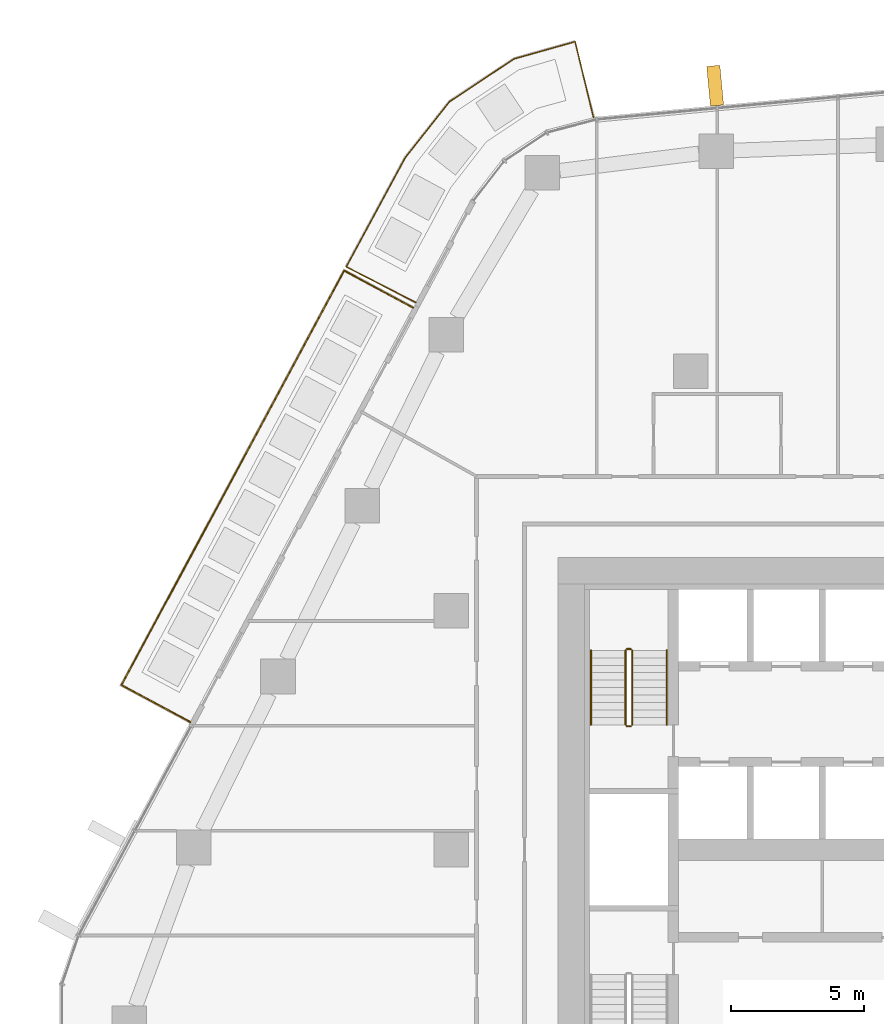
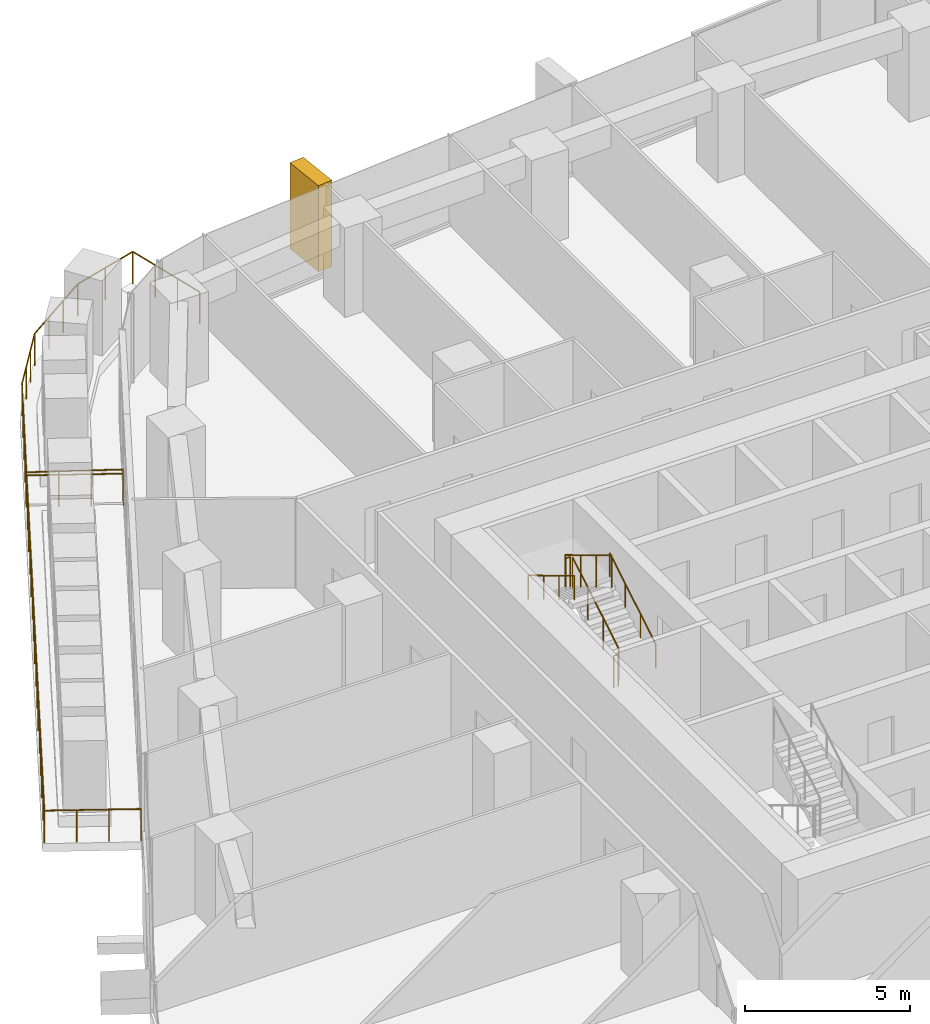
# One storey, part 22 of 24: 8 railings, 1 covering, 1 element without a shape of its own.
"""IFC4 building model written with IfcOpenShell, lengths in metres."""

import ifcopenshell
import ifcopenshell.guid

model = None  # the IFC model being written
_history = None  # IfcOwnerHistory: only IFC2X3 demands one
_inside = {}  # id of a spatial element -> (the spatial element, [elements in it])
_under = {}  # id of a project, library or spatial element -> (it, [spatial elements below it])
_declared = {}  # id of a project -> (the project, [libraries it declares])
_typed = {}  # id of a type object -> (the type object, [elements of that type])
_made_of = {}  # id of a material, layer set ... -> (it, [elements and type objects made of it])


def new_model(schema):
    """Start an empty IFC model of exactly this schema.

    Asked for "IFC4X3", IfcOpenShell would pick the latest addendum, in which some entities
    have other attributes; the version numbers below select the first issue.
    IFC2X3 requires an IfcOwnerHistory on every rooted entity: one is made here for all.
    """
    global model, _history
    if schema == "IFC4X3":
        model = ifcopenshell.file(schema_version=(4, 3, 0, 0))
    else:
        model = ifcopenshell.file(schema=schema)
    _inside.clear()
    _under.clear()
    _declared.clear()
    _typed.clear()
    _made_of.clear()
    _history = None
    if model.schema == "IFC2X3":
        org = make("IfcOrganization", Name="unknown")
        user = make(
            "IfcPersonAndOrganization",
            ThePerson=make("IfcPerson", FamilyName="unknown"),
            TheOrganization=org,
        )
        app = make(
            "IfcApplication",
            ApplicationDeveloper=org,
            Version="unknown",
            ApplicationFullName="unknown",
            ApplicationIdentifier="unknown",
        )
        _history = make(
            "IfcOwnerHistory",
            OwningUser=user,
            OwningApplication=app,
            ChangeAction="ADDED",
            CreationDate=0,
        )
    return model


def make(cls, **values):
    """One entity of the class cls with the attributes given. An attribute that is None is left unset."""
    return model.create_entity(
        cls, **{name: value for name, value in values.items() if value is not None}
    )


def rooted(cls, **values):
    """An entity with a GlobalId (a new one), such as an element, a storey or a relation."""
    return make(cls, GlobalId=ifcopenshell.guid.new(), OwnerHistory=_history, **values)


def si_unit(unit_type, name, prefix=None):
    """IfcSIUnit, for example si_unit("LENGTHUNIT", "METRE", prefix="MILLI")."""
    return make("IfcSIUnit", UnitType=unit_type, Prefix=prefix, Name=name)


def assignment(units):
    """IfcUnitAssignment: the units of a project."""
    return None if units is None else make("IfcUnitAssignment", Units=units)


def point(xyz):
    """IfcCartesianPoint."""
    return None if xyz is None else make("IfcCartesianPoint", Coordinates=xyz)


def direction(xyz):
    """IfcDirection."""
    return None if xyz is None else make("IfcDirection", DirectionRatios=xyz)


def frame(location, z_axis=None, x_axis=None):
    """IfcAxis2Placement3D, a coordinate frame: its origin and axes. An axis left out is left unset."""
    return make(
        "IfcAxis2Placement3D",
        Location=point(location),
        Axis=direction(z_axis),
        RefDirection=direction(x_axis),
    )


def frame_2d(location, x_axis=None):
    """IfcAxis2Placement2D, a coordinate frame in the plane: its origin and x axis."""
    return make(
        "IfcAxis2Placement2D", Location=point(location), RefDirection=direction(x_axis)
    )


def origin():
    """The frame at (0, 0, 0) with its axes left unset."""
    return frame((0.0, 0.0, 0.0))


def origin_2d():
    """The frame at (0, 0) in the plane with its x axis left unset."""
    return frame_2d((0.0, 0.0))


def place(relative_to, where):
    """IfcLocalPlacement: puts the frame where relative to a parent placement (None: the world)."""
    return make(
        "IfcLocalPlacement", PlacementRelTo=relative_to, RelativePlacement=where
    )


def context(
    kind, dimensions, precision=None, world=None, true_north=None, identifier=None
):
    """IfcGeometricRepresentationContext, for example the 3D "Model" context."""
    return make(
        "IfcGeometricRepresentationContext",
        ContextIdentifier=identifier,
        ContextType=kind,
        CoordinateSpaceDimension=dimensions,
        Precision=precision,
        WorldCoordinateSystem=world,
        TrueNorth=true_north,
    )


def subcontext(parent, identifier, kind, view, scale=None):
    """IfcGeometricRepresentationSubContext, for example "Body" below "Model"."""
    return make(
        "IfcGeometricRepresentationSubContext",
        ContextIdentifier=identifier,
        ContextType=kind,
        ParentContext=parent,
        TargetScale=scale,
        TargetView=view,
    )


def project(units=None, contexts=None):
    """IfcProject with its units and contexts."""
    return rooted(
        "IfcProject",
        Name="project",
        RepresentationContexts=contexts,
        UnitsInContext=assignment(units),
    )


def spatial(cls, under=None, at=None, **own):
    """A site, building, storey or space (cls), placed at a placement, below another one or the project."""
    s = rooted(cls, ObjectPlacement=at, **own)
    if under is not None:
        _under.setdefault(under.id(), (under, []))[1].append(s)
    return s


def profile(cls, at=None, kind="AREA", **sizes):
    """A parametric profile (cls). Its sizes go by their IFC names, for example OverallWidth=200.0."""
    return make(cls, ProfileType=kind, Position=at, **sizes)


def rectangle(**sizes):
    """IfcRectangleProfileDef."""
    return profile("IfcRectangleProfileDef", **sizes)


def circle(**sizes):
    """IfcCircleProfileDef."""
    return profile("IfcCircleProfileDef", **sizes)


def extrude(swept, where, along, depth):
    """IfcExtrudedAreaSolid: the profile swept, set in the frame where, extruded along a direction by depth."""
    return make(
        "IfcExtrudedAreaSolid",
        SweptArea=swept,
        Position=where,
        ExtrudedDirection=direction(along),
        Depth=depth,
    )


def shape(context_of_items, identifier, shape_type, items):
    """IfcShapeRepresentation: the items that make up one representation, for example the "Body"."""
    return make(
        "IfcShapeRepresentation",
        ContextOfItems=context_of_items,
        RepresentationIdentifier=identifier,
        RepresentationType=shape_type,
        Items=items,
    )


def material(Name=None, Category=None):
    """IfcMaterial."""
    return make("IfcMaterial", Name=Name, Category=Category)


def layer(
    of_material, thickness, ventilated=None, Name=None, Category=None, Priority=None
):
    """IfcMaterialLayer: one layer of a wall or slab, of a material (None: an air gap)."""
    return make(
        "IfcMaterialLayer",
        Material=of_material,
        LayerThickness=thickness,
        IsVentilated=ventilated,
        Name=Name,
        Category=Category,
        Priority=Priority,
    )


def layer_set(layers, Name=None):
    """IfcMaterialLayerSet."""
    return make("IfcMaterialLayerSet", MaterialLayers=layers, LayerSetName=Name)


def material_profile(
    of_material, cross_section, Name=None, Category=None, Priority=None
):
    """IfcMaterialProfile: a cross section and its material."""
    return make(
        "IfcMaterialProfile",
        Name=Name,
        Material=of_material,
        Profile=cross_section,
        Priority=Priority,
        Category=Category,
    )


def profile_set(profiles, Name=None, composite=None):
    """IfcMaterialProfileSet."""
    return make(
        "IfcMaterialProfileSet",
        Name=Name,
        MaterialProfiles=profiles,
        CompositeProfile=composite,
    )


def made_of(thing, what):
    """Note that an element or type object is made of a material, layer set ...; save() writes the relation."""
    if what is not None:
        _made_of.setdefault(what.id(), (what, []))[1].append(thing)
    return thing


def type_object(cls, material=None, **own):
    """A type object (cls), such as IfcWallType, which elements share."""
    return made_of(rooted(cls, **own), material)


def element(
    cls,
    number,
    at=None,
    inside=None,
    cuts=None,
    type_object=None,
    material=None,
    context=None,
    identifier="Body",
    shape_type=None,
    held_by="IfcProductDefinitionShape",
    body=None,
    shapes=None,
    **own,
):
    """One element of the class cls, such as IfcWall. Its Tag is "e" and its number.

    at: its placement. inside: the storey or other place that contains it. cuts: it is an
    opening in that element (IfcRelVoidsElement). A single representation is given by context,
    identifier, shape_type and body (its items); several are given by shapes. held_by: the class
    of the entity that holds the representations. save() writes the other relations.
    """
    e = rooted(cls, Tag="e%d" % number, ObjectPlacement=at, **own)
    if body is not None:
        shapes = [shape(context, identifier, shape_type, body)]
    if shapes is not None:
        e.Representation = make(held_by, Representations=shapes)
    if inside is not None:
        _inside.setdefault(inside.id(), (inside, []))[1].append(e)
    if cuts is not None:
        rooted(
            "IfcRelVoidsElement", RelatingBuildingElement=cuts, RelatedOpeningElement=e
        )
    if type_object is not None:
        _typed.setdefault(type_object.id(), (type_object, []))[1].append(e)
    return made_of(e, material)


def aggregate(whole, parts):
    """IfcRelAggregates: a whole, such as a stair, and the parts it consists of."""
    return rooted("IfcRelAggregates", RelatingObject=whole, RelatedObjects=parts)


def save(model, path):
    """Write the relations noted so far, then the file.

    IfcRelAggregates (storeys below a building ...), IfcRelContainedInSpatialStructure (elements
    in a storey), IfcRelDefinesByType, IfcRelAssociatesMaterial and IfcRelDeclares: one each for
    every whole, place, type object, material and project.
    """
    for whole, parts in _under.values():
        aggregate(whole, parts)
    for where, things in _inside.values():
        rooted(
            "IfcRelContainedInSpatialStructure",
            RelatedElements=things,
            RelatingStructure=where,
        )
    for kind, things in _typed.values():
        rooted("IfcRelDefinesByType", RelatedObjects=things, RelatingType=kind)
    for what, things in _made_of.values():
        rooted("IfcRelAssociatesMaterial", RelatedObjects=things, RelatingMaterial=what)
    for by, libraries in _declared.values():
        rooted("IfcRelDeclares", RelatingContext=by, RelatedDefinitions=libraries)
    model.write(path)


model = new_model("IFC4")

# Units and contexts
model_context = context("Model", 3, precision=1e-05, world=origin(), true_north=direction((0.0, 1.0)))
body_context = subcontext(model_context, "Body", "Model", "MODEL_VIEW")
ifc_project = project(units=[si_unit("LENGTHUNIT", "METRE"), si_unit("AREAUNIT", "SQUARE_METRE"), si_unit("VOLUMEUNIT", "CUBIC_METRE"), si_unit("PLANEANGLEUNIT", "RADIAN"), si_unit("MASSUNIT", "GRAM", prefix="KILO")], contexts=[model_context])

# Site, building, storey
site_placement = place(None, origin())
site = spatial("IfcSite", under=ifc_project, at=site_placement, CompositionType="ELEMENT")
building_placement = place(site_placement, origin())
building = spatial("IfcBuilding", under=site, at=building_placement, Name="Dongbaek Canopy Tower", CompositionType="ELEMENT")
storey_placement = place(building_placement, frame((0.0, 0.0, 124.800048828125)))
storey = spatial("IfcBuildingStorey", under=building, at=storey_placement, Name="L27", CompositionType="ELEMENT", Elevation=124.800048828125)

# Railings
ifc_material_1 = material(Name="Stainless steel", Category="steel")
railing_type_1 = type_object("IfcRailingType", Name="Balcony balustrade 1200", PredefinedType="BALUSTRADE", material=ifc_material_1)
railing_1_placement = place(storey_placement, frame((-19.446533203125, 20.402099609375, 0.0)))
element("IfcRailing", 1, at=railing_1_placement, inside=storey, type_object=railing_type_1, Name="Balcony guard L27 2", PredefinedType="BALUSTRADE", context=body_context, shape_type="SweptSolid", body=[
    extrude(circle(Radius=0.02392578125, at=origin_2d()), frame((0.0, 0.0, 1.17578125), z_axis=(-0.880868115947, 0.473361766842, 0.0), x_axis=(-0.473361766842, -0.880868115947, 0.0)), (0.0, 0.0, 1.0), 2.93994140625),
    extrude(circle(Radius=0.02392578125, at=origin_2d()), frame((-2.589599609375, 1.3916015625, 1.17578125), z_axis=(-0.473412360559, -0.880840925974, 0.0), x_axis=(0.880840925974, -0.473412360559, 0.0)), (0.0, 0.0, 1.0), 17.708251953125),
    extrude(circle(Radius=0.02392578125, at=origin_2d()), frame((-10.972900390625, -14.20654296875, 1.17578125), z_axis=(0.880833487352, -0.473426200753, 0.0), x_axis=(0.473426200753, 0.880833487352, 0.0)), (0.0, 0.0, 1.0), 2.93994140625),
    extrude(circle(Radius=0.02099609375, at=origin_2d()), origin(), (0.0, 0.0, 1.0), 1.15185546875),
    extrude(circle(Radius=0.02099609375, at=origin_2d()), frame((-0.86328125, 0.4638671875, 0.0)), (0.0, 0.0, 1.0), 1.15185546875),
    extrude(circle(Radius=0.02099609375, at=origin_2d()), frame((-1.726318359375, 0.927734375, 0.0)), (0.0, 0.0, 1.0), 1.15185546875),
    extrude(circle(Radius=0.02099609375, at=origin_2d()), frame((-2.589599609375, 1.3916015625, 0.0)), (0.0, 0.0, 1.0), 1.15185546875),
    extrude(circle(Radius=0.02099609375, at=origin_2d()), frame((-3.1484375, 0.351806640625, 0.0)), (0.0, 0.0, 1.0), 1.15185546875),
    extrude(circle(Radius=0.02099609375, at=origin_2d()), frame((-3.707275390625, -0.688232421875, 0.0)), (0.0, 0.0, 1.0), 1.15185546875),
    extrude(circle(Radius=0.02099609375, at=origin_2d()), frame((-4.266357421875, -1.72802734375, 0.0)), (0.0, 0.0, 1.0), 1.15185546875),
    extrude(circle(Radius=0.02099609375, at=origin_2d()), frame((-4.8251953125, -2.767822265625, 0.0)), (0.0, 0.0, 1.0), 1.15185546875),
    extrude(circle(Radius=0.02099609375, at=origin_2d()), frame((-5.384033203125, -3.807861328125, 0.0)), (0.0, 0.0, 1.0), 1.15185546875),
    extrude(circle(Radius=0.02099609375, at=origin_2d()), frame((-5.94287109375, -4.84765625, 0.0)), (0.0, 0.0, 1.0), 1.15185546875),
    extrude(circle(Radius=0.02099609375, at=origin_2d()), frame((-6.501708984375, -5.887451171875, 0.0)), (0.0, 0.0, 1.0), 1.15185546875),
    extrude(circle(Radius=0.02099609375, at=origin_2d()), frame((-7.060791015625, -6.927490234375, 0.0)), (0.0, 0.0, 1.0), 1.15185546875),
    extrude(circle(Radius=0.02099609375, at=origin_2d()), frame((-7.61962890625, -7.96728515625, 0.0)), (0.0, 0.0, 1.0), 1.15185546875),
    extrude(circle(Radius=0.02099609375, at=origin_2d()), frame((-8.178466796875, -9.007080078125, 0.0)), (0.0, 0.0, 1.0), 1.15185546875),
    extrude(circle(Radius=0.02099609375, at=origin_2d()), frame((-8.7373046875, -10.047119140625, 0.0)), (0.0, 0.0, 1.0), 1.15185546875),
    extrude(circle(Radius=0.02099609375, at=origin_2d()), frame((-9.296142578125, -11.0869140625, 0.0)), (0.0, 0.0, 1.0), 1.15185546875),
    extrude(circle(Radius=0.02099609375, at=origin_2d()), frame((-9.855224609375, -12.126708984375, 0.0)), (0.0, 0.0, 1.0), 1.15185546875),
    extrude(circle(Radius=0.02099609375, at=origin_2d()), frame((-10.4140625, -13.166748046875, 0.0)), (0.0, 0.0, 1.0), 1.15185546875),
    extrude(circle(Radius=0.02099609375, at=origin_2d()), frame((-10.972900390625, -14.20654296875, 0.0)), (0.0, 0.0, 1.0), 1.15185546875),
    extrude(circle(Radius=0.02099609375, at=origin_2d()), frame((-10.109619140625, -14.67041015625, 0.0)), (0.0, 0.0, 1.0), 1.15185546875),
    extrude(circle(Radius=0.02099609375, at=origin_2d()), frame((-9.24658203125, -15.134521484375, 0.0)), (0.0, 0.0, 1.0), 1.15185546875),
    extrude(circle(Radius=0.02099609375, at=origin_2d()), frame((-8.38330078125, -15.598388671875, 0.0)), (0.0, 0.0, 1.0), 1.15185546875),
])
railing_2_placement = place(storey_placement, frame((-12.654296875, 27.55224609375, 0.0)))
element("IfcRailing", 2, at=railing_2_placement, inside=storey, type_object=railing_type_1, Name="Balcony guard L27 6", PredefinedType="BALUSTRADE", context=body_context, shape_type="SweptSolid", body=[
    extrude(circle(Radius=0.02392578125, at=origin_2d()), frame((0.0, 0.0, 1.17578125), z_axis=(-0.234967872109, 0.97200313738, 0.0), x_axis=(-0.97200313738, -0.234967872109, 0.0)), (0.0, 0.0, 1.0), 2.9404296875),
    extrude(circle(Radius=0.02392578125, at=origin_2d()), frame((-0.69091796875, 2.858154296875, 1.17578125), z_axis=(-0.962683385064, -0.270630190707, 0.0), x_axis=(0.270630190707, -0.962683385064, 0.0)), (0.0, 0.0, 1.0), 2.3896484375),
    extrude(circle(Radius=0.02392578125, at=origin_2d()), frame((-2.991455078125, 2.21142578125, 1.17578125), z_axis=(-0.833398679356, -0.552672272914, 0.0), x_axis=(0.552672272914, -0.833398679356, 0.0)), (0.0, 0.0, 1.0), 2.91943359375),
    extrude(circle(Radius=0.02392578125, at=origin_2d()), frame((-5.424560546875, 0.597900390625, 1.17578125), z_axis=(-0.619549781099, -0.784957367467, 0.0), x_axis=(0.784957367467, -0.619549781099, 0.0)), (0.0, 0.0, 1.0), 2.680419921875),
    extrude(circle(Radius=0.02392578125, at=origin_2d()), frame((-7.085205078125, -1.506103515625, 1.17578125), z_axis=(-0.475286442309, -0.879831118884, 0.0), x_axis=(0.879831118884, -0.475286442309, 0.0)), (0.0, 0.0, 1.0), 4.6728515625),
    extrude(circle(Radius=0.02392578125, at=origin_2d()), frame((-9.30615234375, -5.617431640625, 1.17578125), z_axis=(0.890305305538, -0.455364099299, 0.0), x_axis=(0.455364099299, 0.890305305538, 0.0)), (0.0, 0.0, 1.0), 2.940673828125),
    extrude(circle(Radius=0.02099609375, at=origin_2d()), origin(), (0.0, 0.0, 1.0), 1.15185546875),
    extrude(circle(Radius=0.02099609375, at=origin_2d()), frame((-0.230224609375, 0.95263671875, 0.0)), (0.0, 0.0, 1.0), 1.15185546875),
    extrude(circle(Radius=0.02099609375, at=origin_2d()), frame((-0.460693359375, 1.905517578125, 0.0)), (0.0, 0.0, 1.0), 1.15185546875),
    extrude(circle(Radius=0.02099609375, at=origin_2d()), frame((-0.69091796875, 2.858154296875, 0.0)), (0.0, 0.0, 1.0), 1.15185546875),
    extrude(circle(Radius=0.02099609375, at=origin_2d()), frame((-1.84130859375, 2.53466796875, 0.0)), (0.0, 0.0, 1.0), 1.15185546875),
    extrude(circle(Radius=0.02099609375, at=origin_2d()), frame((-2.991455078125, 2.21142578125, 0.0)), (0.0, 0.0, 1.0), 1.15185546875),
    extrude(circle(Radius=0.02099609375, at=origin_2d()), frame((-3.802490234375, 1.673583984375, 0.0)), (0.0, 0.0, 1.0), 1.15185546875),
    extrude(circle(Radius=0.02099609375, at=origin_2d()), frame((-4.613525390625, 1.1357421875, 0.0)), (0.0, 0.0, 1.0), 1.15185546875),
    extrude(circle(Radius=0.02099609375, at=origin_2d()), frame((-5.424560546875, 0.597900390625, 0.0)), (0.0, 0.0, 1.0), 1.15185546875),
    extrude(circle(Radius=0.02099609375, at=origin_2d()), frame((-5.97802734375, -0.103515625, 0.0)), (0.0, 0.0, 1.0), 1.15185546875),
    extrude(circle(Radius=0.02099609375, at=origin_2d()), frame((-6.53173828125, -0.8046875, 0.0)), (0.0, 0.0, 1.0), 1.15185546875),
    extrude(circle(Radius=0.02099609375, at=origin_2d()), frame((-7.085205078125, -1.506103515625, 0.0)), (0.0, 0.0, 1.0), 1.15185546875),
    extrude(circle(Radius=0.02099609375, at=origin_2d()), frame((-7.640380859375, -2.533935546875, 0.0)), (0.0, 0.0, 1.0), 1.15185546875),
    extrude(circle(Radius=0.02099609375, at=origin_2d()), frame((-8.19580078125, -3.561767578125, 0.0)), (0.0, 0.0, 1.0), 1.15185546875),
    extrude(circle(Radius=0.02099609375, at=origin_2d()), frame((-8.7509765625, -4.589599609375, 0.0)), (0.0, 0.0, 1.0), 1.15185546875),
    extrude(circle(Radius=0.02099609375, at=origin_2d()), frame((-9.30615234375, -5.617431640625, 0.0)), (0.0, 0.0, 1.0), 1.15185546875),
    extrude(circle(Radius=0.02099609375, at=origin_2d()), frame((-8.433349609375, -6.063720703125, 0.0)), (0.0, 0.0, 1.0), 1.15185546875),
    extrude(circle(Radius=0.02099609375, at=origin_2d()), frame((-7.560791015625, -6.51025390625, 0.0)), (0.0, 0.0, 1.0), 1.15185546875),
    extrude(circle(Radius=0.02099609375, at=origin_2d()), frame((-6.68798828125, -6.95654296875, 0.0)), (0.0, 0.0, 1.0), 1.15185546875),
])

# Curtain wall, covering
ifc_material_2 = material(Name="Aluminium 6063-T6 pale anodised", Category="aluminium")
ifc_layer = layer(ifc_material_2, 0.199951171875)
ifc_layer_set = layer_set([ifc_layer], Name="CW-1 unitised tower curtain wall")
curtain_wall_type = type_object("IfcCurtainWallType", Name="CW-1 unitised tower curtain wall", PredefinedType="NOTDEFINED", material=ifc_layer_set)
curtain_wall_placement = place(storey_placement, origin())
curtain_wall = element("IfcCurtainWall", 3, at=curtain_wall_placement, inside=storey, type_object=curtain_wall_type, Name="CW-1 curtain wall F1.1", PredefinedType="NOTDEFINED")
ifc_material_3 = material(Name="Aluminium 6063-T6 pale metal fin", Category="aluminium")
ifc_material_profile = material_profile(ifc_material_3, rectangle(XDim=1.5, YDim=0.5, at=origin_2d()), Name="Fin FN1 500 x 1500 pale metal")
ifc_profile_set = profile_set([ifc_material_profile], Name="Aluminium 6063-T6 pale metal fin")
covering_type = type_object("IfcCoveringType", Name="Fin FN1 500 x 1500 pale metal", PredefinedType="CLADDING", material=ifc_profile_set)
covering_placement = place(storey_placement, frame((-8.076171875, 28.7529296875, 0.119873046875), z_axis=(0.0, 0.0, 1.0), x_axis=(-0.093397804951, 0.995628871634, 0.0)))
covering = element("IfcCovering", 4, at=covering_placement, type_object=covering_type, Name="Fin F1.1.5", PredefinedType="CLADDING", context=body_context, shape_type="SweptSolid", body=[
    extrude(rectangle(XDim=1.5, YDim=0.5, at=origin_2d()), origin(), (0.0, 0.0, 1.0), 3.18017578125),
])
aggregate(curtain_wall, [covering])

# Railings
ifc_material_4 = material(Name="Stainless steel tube and balusters", Category="steel")
railing_type_2 = type_object("IfcRailingType", Name="Stair guard 1200", PredefinedType="GUARDRAIL", material=ifc_material_4)
railing_3_placement = place(storey_placement, frame((-11.199951171875, 4.699951171875, 0.168212890625)))
element("IfcRailing", 5, at=railing_3_placement, inside=storey, type_object=railing_type_2, Name="L27 ST-C stair guard 1", PredefinedType="GUARDRAIL", context=body_context, shape_type="SweptSolid", body=[
    extrude(circle(Radius=0.02392578125, at=origin_2d()), frame((0.0, 0.0, 1.17578125), z_axis=(0.0, 0.857275202839, 0.514858452973), x_axis=(-1.0, 0.0, 0.0)), (0.0, 0.0, 1.0), 3.26611328125),
    extrude(circle(Radius=0.02099609375, at=origin_2d()), origin(), (0.0, 0.0, 1.0), 1.15185546875),
    extrude(circle(Radius=0.02099609375, at=origin_2d()), frame((0.0, 0.933349609375, 0.560546875)), (0.0, 0.0, 1.0), 1.15185546875),
    extrude(circle(Radius=0.02099609375, at=origin_2d()), frame((0.0, 1.86669921875, 1.12109375)), (0.0, 0.0, 1.0), 1.15185546875),
    extrude(circle(Radius=0.02099609375, at=origin_2d()), frame((0.0, 2.800048828125, 1.681640625)), (0.0, 0.0, 1.0), 1.15185546875),
])
railing_4_placement = place(storey_placement, frame((-11.25, 7.550048828125, 1.849853515625)))
element("IfcRailing", 6, at=railing_4_placement, inside=storey, type_object=railing_type_2, Name="L27 ST-C stair guard 2", PredefinedType="GUARDRAIL", context=body_context, shape_type="SweptSolid", body=[
    extrude(circle(Radius=0.02392578125, at=origin_2d()), frame((0.0, 0.0, 1.17578125), z_axis=(-1.0, 0.0, 0.0), x_axis=(0.0, -1.0, 0.0)), (0.0, 0.0, 1.0), 0.14990234375),
    extrude(circle(Radius=0.02099609375, at=origin_2d()), origin(), (0.0, 0.0, 1.0), 1.15185546875),
    extrude(circle(Radius=0.02099609375, at=origin_2d()), frame((-0.14990234375, 0.0, 0.0)), (0.0, 0.0, 1.0), 1.15185546875),
])
railing_5_placement = place(storey_placement, frame((-11.449951171875, 7.5, 2.01806640625)))
element("IfcRailing", 7, at=railing_5_placement, inside=storey, type_object=railing_type_2, Name="L27 ST-C stair guard 3", PredefinedType="GUARDRAIL", context=body_context, shape_type="SweptSolid", body=[
    extrude(circle(Radius=0.02392578125, at=origin_2d()), frame((0.0, 0.0, 1.17578125), z_axis=(0.0, -0.857242210791, 0.514913383045), x_axis=(1.0, 0.0, 0.0)), (0.0, 0.0, 1.0), 3.266357421875),
    extrude(circle(Radius=0.02099609375, at=origin_2d()), origin(), (0.0, 0.0, 1.0), 1.15185546875),
    extrude(circle(Radius=0.02099609375, at=origin_2d()), frame((0.0, -0.933349609375, 0.560546875)), (0.0, 0.0, 1.0), 1.15185546875),
    extrude(circle(Radius=0.02099609375, at=origin_2d()), frame((0.0, -1.86669921875, 1.121337890625)), (0.0, 0.0, 1.0), 1.15185546875),
    extrude(circle(Radius=0.02099609375, at=origin_2d()), frame((0.0, -2.800048828125, 1.681884765625)), (0.0, 0.0, 1.0), 1.15185546875),
])
railing_6_placement = place(storey_placement, frame((-11.25, 4.64990234375, 0.0)))
element("IfcRailing", 8, at=railing_6_placement, inside=storey, type_object=railing_type_2, Name="L27 ST-C stair guard 4", PredefinedType="GUARDRAIL", context=body_context, shape_type="SweptSolid", body=[
    extrude(circle(Radius=0.02392578125, at=origin_2d()), frame((0.0, 0.0, 1.17578125), z_axis=(-1.0, 0.0, 0.0), x_axis=(0.0, -1.0, 0.0)), (0.0, 0.0, 1.0), 0.14990234375),
    extrude(circle(Radius=0.02099609375, at=origin_2d()), origin(), (0.0, 0.0, 1.0), 1.15185546875),
    extrude(circle(Radius=0.02099609375, at=origin_2d()), frame((-0.14990234375, 0.0, 0.0)), (0.0, 0.0, 1.0), 1.15185546875),
])
ifc_material_5 = material(Name="Stainless steel tube", Category="steel")
railing_type_3 = type_object("IfcRailingType", Name="Stair handrail 900", PredefinedType="HANDRAIL", material=ifc_material_5)
railing_7_placement = place(storey_placement, frame((-9.89990234375, 4.699951171875, 0.168212890625)))
element("IfcRailing", 9, at=railing_7_placement, inside=storey, type_object=railing_type_3, Name="L27 ST-C stair handrail 1", PredefinedType="HANDRAIL", context=body_context, shape_type="SweptSolid", body=[
    extrude(circle(Radius=0.02392578125, at=origin_2d()), frame((0.0, 0.0, 0.8759765625), z_axis=(0.0, 0.857275202839, 0.514858452973), x_axis=(-1.0, 0.0, 0.0)), (0.0, 0.0, 1.0), 3.26611328125),
    extrude(circle(Radius=0.02099609375, at=origin_2d()), origin(), (0.0, 0.0, 1.0), 0.851806640625),
    extrude(circle(Radius=0.02099609375, at=origin_2d()), frame((0.0, 0.933349609375, 0.560546875)), (0.0, 0.0, 1.0), 0.851806640625),
    extrude(circle(Radius=0.02099609375, at=origin_2d()), frame((0.0, 1.86669921875, 1.12109375)), (0.0, 0.0, 1.0), 0.851806640625),
    extrude(circle(Radius=0.02099609375, at=origin_2d()), frame((0.0, 2.800048828125, 1.681640625)), (0.0, 0.0, 1.0), 0.851806640625),
])
railing_8_placement = place(storey_placement, frame((-12.75, 7.5, 2.01806640625)))
element("IfcRailing", 10, at=railing_8_placement, inside=storey, type_object=railing_type_3, Name="L27 ST-C stair handrail 2", PredefinedType="HANDRAIL", context=body_context, shape_type="SweptSolid", body=[
    extrude(circle(Radius=0.02392578125, at=origin_2d()), frame((0.0, 0.0, 0.8759765625), z_axis=(0.0, -0.857242210791, 0.514913383045), x_axis=(1.0, 0.0, 0.0)), (0.0, 0.0, 1.0), 3.266357421875),
    extrude(circle(Radius=0.02099609375, at=origin_2d()), origin(), (0.0, 0.0, 1.0), 0.851806640625),
    extrude(circle(Radius=0.02099609375, at=origin_2d()), frame((0.0, -0.933349609375, 0.560546875)), (0.0, 0.0, 1.0), 0.851806640625),
    extrude(circle(Radius=0.02099609375, at=origin_2d()), frame((0.0, -1.86669921875, 1.121337890625)), (0.0, 0.0, 1.0), 0.851806640625),
    extrude(circle(Radius=0.02099609375, at=origin_2d()), frame((0.0, -2.800048828125, 1.681884765625)), (0.0, 0.0, 1.0), 0.851806640625),
])

save(model, "model.ifc")
